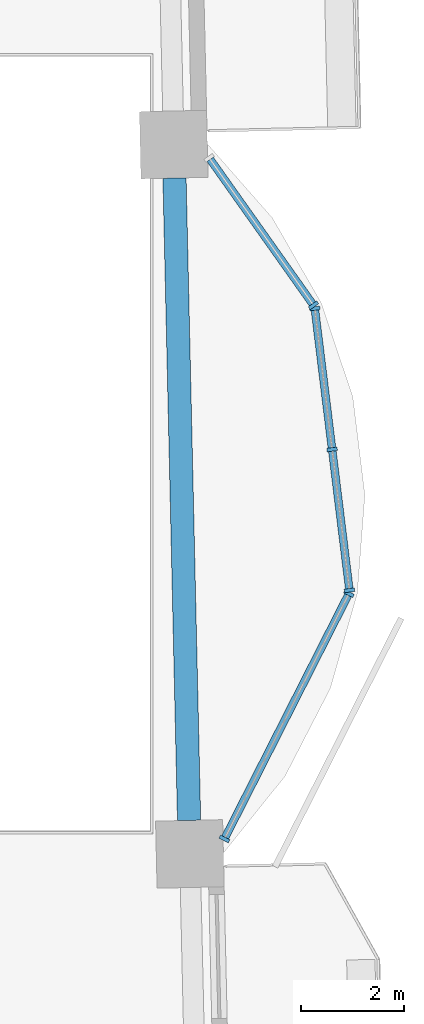
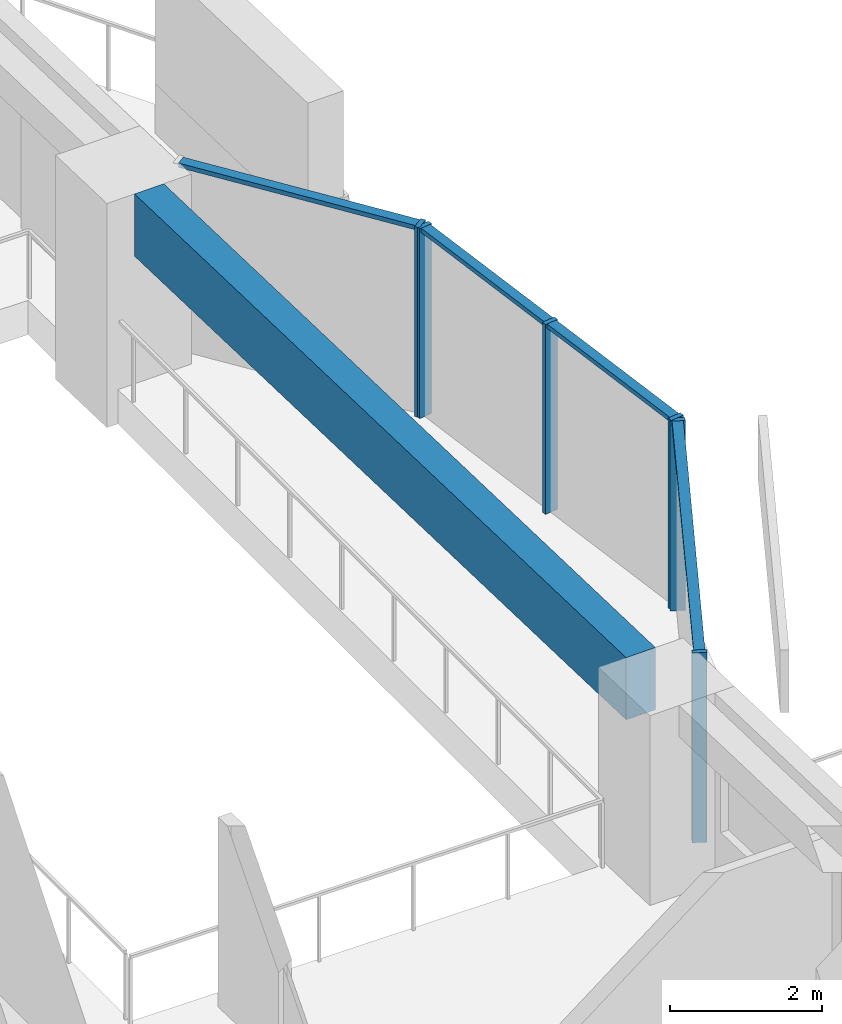
# One storey, part 2 of 16: 10 members, 1 beam, 3 elements without a shape of their own.
"""IFC4 building model written with IfcOpenShell, lengths in metres."""

from ifc_helpers import new_model, si_unit, direction, frame, origin, origin_2d, place, context, subcontext, project, spatial, rectangle, extrude, material, material_profile, profile_set, type_object, element, aggregate, save


model = new_model("IFC4")

# Units and contexts
model_context = context("Model", 3, precision=1e-05, world=origin(), true_north=direction((0.0, 1.0)))
body_context = subcontext(model_context, "Body", "Model", "MODEL_VIEW")
ifc_project = project(units=[si_unit("LENGTHUNIT", "METRE"), si_unit("AREAUNIT", "SQUARE_METRE"), si_unit("VOLUMEUNIT", "CUBIC_METRE"), si_unit("PLANEANGLEUNIT", "RADIAN"), si_unit("MASSUNIT", "GRAM", prefix="KILO")], contexts=[model_context])

# Site, building, storey
site_placement = place(None, origin())
site = spatial("IfcSite", under=ifc_project, at=site_placement, CompositionType="ELEMENT")
building_placement = place(site_placement, origin())
building = spatial("IfcBuilding", under=site, at=building_placement, Name="Mangrove Gate Tower", CompositionType="ELEMENT")
storey_placement = place(building_placement, frame((0.0, 0.0, 144.5)))
storey = spatial("IfcBuildingStorey", under=building, at=storey_placement, Name="L36", CompositionType="ELEMENT", Elevation=144.5)

# Curtain wall, members
ifc_material_1 = material(Name="Aluminium and glass curtain wall", Category="aluminium")
curtain_wall_type = type_object("IfcCurtainWallType", Name="Atrium garden-court glazing wall", PredefinedType="NOTDEFINED", material=ifc_material_1)
curtain_wall_1_placement = place(storey_placement, origin())
curtain_wall_1 = element("IfcCurtainWall", 1, at=curtain_wall_1_placement, inside=storey, type_object=curtain_wall_type, Name="Atrium garden-court glazing E1f1", PredefinedType="NOTDEFINED")
ifc_material_2 = material(Name="Aluminium alloy 6063-T6", Category="aluminium")
ifc_material_profile_1 = material_profile(ifc_material_2, rectangle(XDim=0.070068359375, YDim=0.199951171875, at=origin_2d()))
ifc_profile_set_1 = profile_set([ifc_material_profile_1], Name="Aluminium alloy 6063-T6")
member_type_1 = type_object("IfcMemberType", Name="Atrium garden-court glazing mullion 70x200", PredefinedType="MULLION", material=ifc_profile_set_1)
member_1_placement = place(storey_placement, frame((24.441162109375, -7.660400390625, 0.0), z_axis=(0.0, 0.0, 1.0), x_axis=(0.452614630938, 0.891706227331, 0.0)))
member_1 = element("IfcMember", 2, at=member_1_placement, type_object=member_type_1, Name="CWA mullion 1", PredefinedType="MULLION", context=body_context, shape_type="SweptSolid", body=[
    extrude(rectangle(XDim=0.070068359375, YDim=0.199951171875, at=origin_2d()), origin(), (0.0, 0.0, 1.0), 3.050048828125),
])
member_2_placement = place(storey_placement, frame((26.85302734375, -2.908935546875, 0.0), z_axis=(0.0, 0.0, 1.0), x_axis=(0.452614630938, 0.891706227331, 0.0)))
member_2 = element("IfcMember", 3, at=member_2_placement, type_object=member_type_1, Name="CWA mullion 2", PredefinedType="MULLION", context=body_context, shape_type="SweptSolid", body=[
    extrude(rectangle(XDim=0.070068359375, YDim=0.199951171875, at=origin_2d()), origin(), (0.0, 0.0, 1.0), 3.050048828125),
])

curtain_wall_2_placement = place(storey_placement, origin())
curtain_wall_2 = element("IfcCurtainWall", 4, at=curtain_wall_2_placement, inside=storey, type_object=curtain_wall_type, Name="Atrium garden-court glazing E1f2", PredefinedType="NOTDEFINED")
member_3_placement = place(storey_placement, frame((26.864501953125, -2.843017578125, 0.0), z_axis=(0.0, 0.0, 1.0), x_axis=(-0.122172285885, 0.992508908051, 0.0)))
member_3 = element("IfcMember", 5, at=member_3_placement, type_object=member_type_1, Name="CWA mullion 1", PredefinedType="MULLION", context=body_context, shape_type="SweptSolid", body=[
    extrude(rectangle(XDim=0.070068359375, YDim=0.199951171875, at=origin_2d()), origin(), (0.0, 0.0, 1.0), 3.050048828125),
])
member_4_placement = place(storey_placement, frame((26.5283203125, -0.112060546875, 0.0), z_axis=(0.0, 0.0, 1.0), x_axis=(-0.122172285885, 0.992508908051, 0.0)))
member_4 = element("IfcMember", 6, at=member_4_placement, type_object=member_type_1, Name="CWA mullion 2", PredefinedType="MULLION", context=body_context, shape_type="SweptSolid", body=[
    extrude(rectangle(XDim=0.070068359375, YDim=0.199951171875, at=origin_2d()), origin(), (0.0, 0.0, 1.0), 3.050048828125),
])
member_5_placement = place(storey_placement, frame((26.192138671875, 2.619140625, 0.0), z_axis=(0.0, 0.0, 1.0), x_axis=(-0.122172285885, 0.992508908051, 0.0)))
member_5 = element("IfcMember", 7, at=member_5_placement, type_object=member_type_1, Name="CWA mullion 3", PredefinedType="MULLION", context=body_context, shape_type="SweptSolid", body=[
    extrude(rectangle(XDim=0.070068359375, YDim=0.199951171875, at=origin_2d()), origin(), (0.0, 0.0, 1.0), 3.050048828125),
])

# Curtain wall, member
curtain_wall_3_placement = place(storey_placement, origin())
curtain_wall_3 = element("IfcCurtainWall", 8, at=curtain_wall_3_placement, inside=storey, type_object=curtain_wall_type, Name="Atrium garden-court glazing E1f3", PredefinedType="NOTDEFINED")
member_6_placement = place(storey_placement, frame((26.167724609375, 2.682373046875, 0.0), z_axis=(0.0, 0.0, 1.0), x_axis=(-0.578132252952, 0.815943072828, 0.0)))
member_6 = element("IfcMember", 9, at=member_6_placement, type_object=member_type_1, Name="CWA mullion 1", PredefinedType="MULLION", context=body_context, shape_type="SweptSolid", body=[
    extrude(rectangle(XDim=0.070068359375, YDim=0.199951171875, at=origin_2d()), origin(), (0.0, 0.0, 1.0), 3.050048828125),
])

# Member
ifc_material_3 = material(Name="Aluminium alloy 6063-T6", Category="aluminium")
ifc_material_profile_2 = material_profile(ifc_material_3, rectangle(XDim=0.070068359375, YDim=0.14990234375, at=origin_2d()))
ifc_profile_set_2 = profile_set([ifc_material_profile_2], Name="Aluminium alloy 6063-T6")
member_type_2 = type_object("IfcMemberType", Name="Atrium garden-court glazing transom 70x150", PredefinedType="USERDEFINED", material=ifc_profile_set_2)
member_7_placement = place(storey_placement, frame((24.45703125, -7.629150390625, 3.014892578125), z_axis=(0.452628185689, 0.891699347045, 0.0), x_axis=(0.0, 0.0, 1.0)))
member_7 = element("IfcMember", 10, at=member_7_placement, type_object=member_type_2, Name="CWA transom 1.2", ObjectType="TRANSOM", PredefinedType="USERDEFINED", context=body_context, shape_type="SweptSolid", body=[
    extrude(rectangle(XDim=0.070068359375, YDim=0.14990234375, at=origin_2d()), origin(), (0.0, 0.0, 1.0), 5.258544921875),
])

aggregate(curtain_wall_1, [member_1, member_2, member_7])

member_8_placement = place(storey_placement, frame((26.8603515625, -2.808349609375, 3.014892578125), z_axis=(-0.122174517154, 0.992508633392, 0.0), x_axis=(0.0, 0.0, 1.0)))
member_8 = element("IfcMember", 11, at=member_8_placement, type_object=member_type_2, Name="CWA transom 1.2", ObjectType="TRANSOM", PredefinedType="USERDEFINED", context=body_context, shape_type="SweptSolid", body=[
    extrude(rectangle(XDim=0.070068359375, YDim=0.14990234375, at=origin_2d()), origin(), (0.0, 0.0, 1.0), 2.681640625),
])

member_9_placement = place(storey_placement, frame((26.524169921875, -0.0771484375, 3.014892578125), z_axis=(-0.122174517154, 0.992508633392, 0.0), x_axis=(0.0, 0.0, 1.0)))
member_9 = element("IfcMember", 12, at=member_9_placement, type_object=member_type_2, Name="CWA transom 2.2", ObjectType="TRANSOM", PredefinedType="USERDEFINED", context=body_context, shape_type="SweptSolid", body=[
    extrude(rectangle(XDim=0.070068359375, YDim=0.14990234375, at=origin_2d()), origin(), (0.0, 0.0, 1.0), 2.681640625),
])

aggregate(curtain_wall_2, [member_3, member_4, member_5, member_8, member_9])

member_10_placement = place(storey_placement, frame((26.1474609375, 2.7109375, 3.014892578125), z_axis=(-0.578102277646, 0.81596431085, 0.0), x_axis=(0.0, 0.0, 1.0)))
member_10 = element("IfcMember", 13, at=member_10_placement, type_object=member_type_2, Name="CWA transom 1.2", ObjectType="TRANSOM", PredefinedType="USERDEFINED", context=body_context, shape_type="SweptSolid", body=[
    extrude(rectangle(XDim=0.070068359375, YDim=0.14990234375, at=origin_2d()), origin(), (0.0, 0.0, 1.0), 3.42919921875),
])

aggregate(curtain_wall_3, [member_6, member_10])

# Beam
ifc_material_4 = material(Name="Concrete C50/60", Category="concrete")
ifc_material_profile_3 = material_profile(ifc_material_4, rectangle(XDim=0.449951171875, YDim=1.0, at=origin_2d()))
ifc_profile_set_3 = profile_set([ifc_material_profile_3], Name="Concrete C50/60")
beam_type = type_object("IfcBeamType", Name="Edge beam RC 450x1000 C50/60", PredefinedType="BEAM", material=ifc_profile_set_3)
beam_placement = place(storey_placement, frame((23.75634765625, -7.302001953125, 2.550048828125), z_axis=(-0.02268532922, 0.999742654806, 0.0), x_axis=(-0.999742654806, -0.02268532922, 0.0)))
element("IfcBeam", 14, at=beam_placement, inside=storey, type_object=beam_type, Name="Edge beam L36 14", PredefinedType="BEAM", context=body_context, shape_type="SweptSolid", body=[
    extrude(rectangle(XDim=0.449951171875, YDim=1.0, at=origin_2d()), origin(), (0.0, 0.0, 1.0), 12.45166015625),
])

save(model, "model.ifc")
